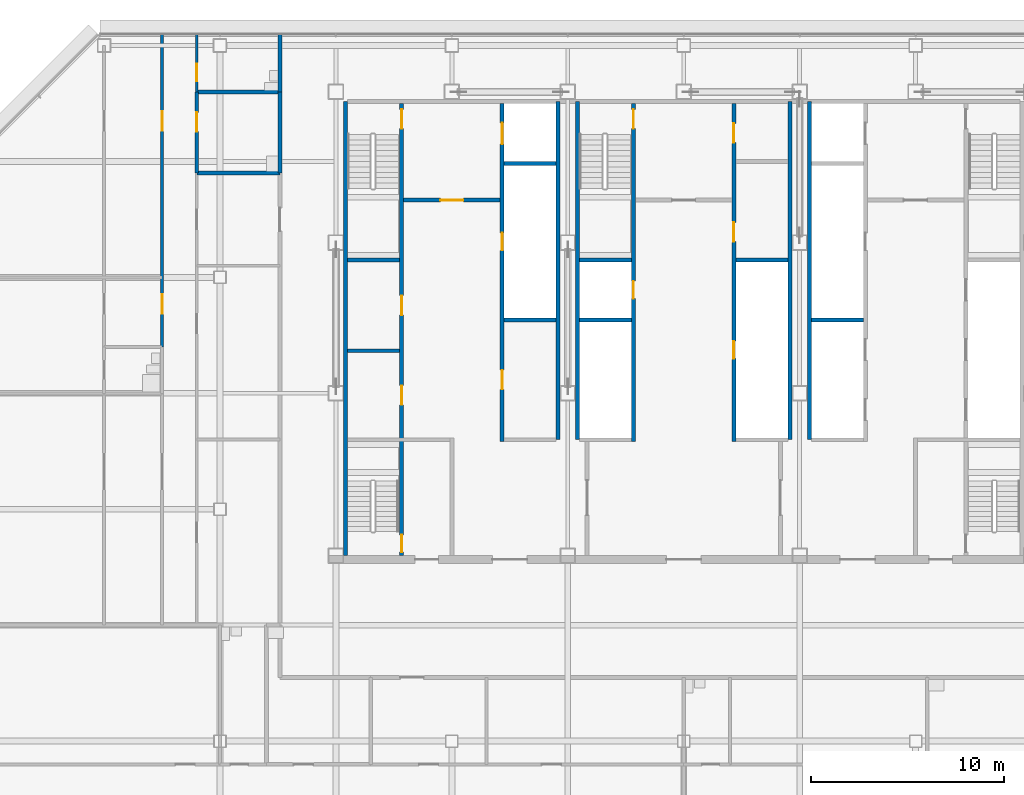
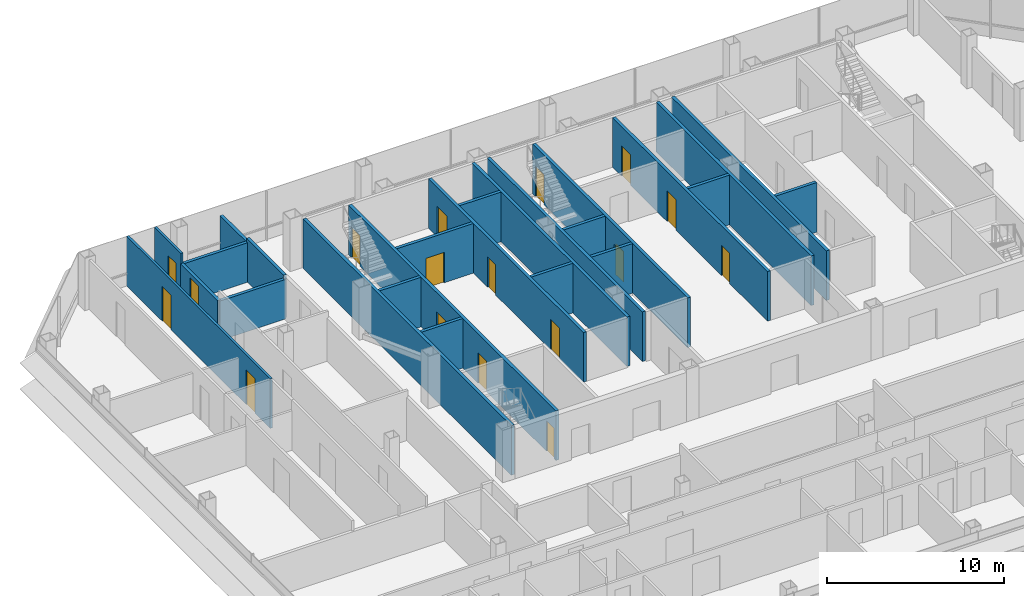
# One storey, part 23 of 27: 25 walls, 17 doors, 17 openings.
"""IFC4 building model written with IfcOpenShell, lengths in metres."""

from ifc_helpers import new_model, si_unit, direction, frame, frame_2d, origin, place, context, subcontext, project, spatial, rectangle, extrude, material, layer, layer_set, type_object, element, fill, save


model = new_model("IFC4")

# Units and contexts
model_context = context("Model", 3, precision=1e-05, world=origin(), true_north=direction((0.0, 1.0)))
body_context = subcontext(model_context, "Body", "Model", "MODEL_VIEW")
ifc_project = project(units=[si_unit("LENGTHUNIT", "METRE"), si_unit("AREAUNIT", "SQUARE_METRE"), si_unit("VOLUMEUNIT", "CUBIC_METRE"), si_unit("PLANEANGLEUNIT", "RADIAN"), si_unit("MASSUNIT", "GRAM", prefix="KILO")], contexts=[model_context])

# Site, building, storey
site_placement = place(None, origin())
site = spatial("IfcSite", under=ifc_project, at=site_placement, CompositionType="ELEMENT")
building_placement = place(site_placement, origin())
building = spatial("IfcBuilding", under=site, at=building_placement, Name="Sorahane Residences", CompositionType="ELEMENT")
storey_placement = place(building_placement, frame((0.0, 0.0, 195.60009765625)))
storey = spatial("IfcBuildingStorey", under=building, at=storey_placement, Name="L45", CompositionType="ELEMENT", Elevation=195.60009765625)

# Walls
ifc_material_1 = material(Name="Concrete C30", Category="concrete")
ifc_layer_1 = layer(ifc_material_1, 0.199951171875)
ifc_layer_set_1 = layer_set([ifc_layer_1], Name="Core face wall 200 EI 180")
wall_type_1 = type_object("IfcWallType", Name="Core face wall 200 EI 180", PredefinedType="SOLIDWALL", material=ifc_layer_set_1)
wall_1_placement = place(storey_placement, frame((6.5, 21.60009765625, 0.0), z_axis=(0.0, 0.0, 1.0), x_axis=(0.0, 1.0, 0.0)))
element("IfcWall", 1, at=wall_1_placement, inside=storey, type_object=wall_type_1, Name="L45 core face wall", PredefinedType="SOLIDWALL", context=body_context, shape_type="SweptSolid", body=[
    extrude(rectangle(XDim=23.5, YDim=0.199951171875, at=frame_2d((11.75, 0.0))), origin(), (0.0, 0.0, 1.0), 3.419921875),
])
for number, where, z_axis, x_axis, name in (
    (2, (17.5, 27.60009765625, 0.0), (0.0, 0.0, 1.0), (0.0, 1.0, 0.0), "L45 core face wall"),
    (3, (18.5, 27.60009765625, 0.0), (0.0, 0.0, 1.0), (0.0, 1.0, 0.0), "L45 core face wall"),
    (4, (29.5, 27.60009765625, 0.0), (0.0, 0.0, 1.0), (0.0, 1.0, 0.0), "L45 core face wall"),
    (5, (30.5, 27.60009765625, 0.0), (0.0, 0.0, 1.0), (0.0, 1.0, 0.0), "L45 core face wall"),
):
    element("IfcWall", number, at=place(storey_placement, frame(where, z_axis=z_axis, x_axis=x_axis)), inside=storey, type_object=wall_type_1, Name=name, PredefinedType="SOLIDWALL", context=body_context, shape_type="SweptSolid", body=[
        extrude(rectangle(XDim=17.5, YDim=0.199951171875, at=frame_2d((8.75, 0.0))), origin(), (0.0, 0.0, 1.0), 3.419921875),
    ])
ifc_material_2 = material(Name="Concrete blockwork C20 wall", Category="masonry")
ifc_layer_2 = layer(ifc_material_2, 0.199951171875)
ifc_layer_set_2 = layer_set([ifc_layer_2], Name="Corridor wall 200 EI 120")
wall_type_2 = type_object("IfcWallType", Name="Corridor wall 200 EI 120", PredefinedType="SOLIDWALL", material=ifc_layer_set_2)
wall_2_placement = place(storey_placement, frame((3.10009765625, 45.60009765625, 0.0), z_axis=(0.0, 0.0, 1.0), x_axis=(0.0, 1.0, 0.0)))
element("IfcWall", 6, at=wall_2_placement, inside=storey, type_object=wall_type_2, Name="L45 corridor wall", PredefinedType="SOLIDWALL", context=body_context, shape_type="SweptSolid", body=[
    extrude(rectangle(XDim=3.0, YDim=0.199951171875, at=frame_2d((1.5, 0.0))), origin(), (0.0, 0.0, 1.0), 2.719970703125),
])

# Wall, opening, door
ifc_material_3 = material(Name="Concrete C30", Category="concrete")
ifc_layer_3 = layer(ifc_material_3, 0.199951171875)
ifc_layer_set_3 = layer_set([ifc_layer_3], Name="Front room wall 200 EI 120")
wall_type_3 = type_object("IfcWallType", Name="Front room wall 200 EI 120", PredefinedType="PARTITIONING", material=ifc_layer_set_3)
wall_3_placement = place(storey_placement, frame((9.5, 40.0, 0.0), z_axis=(0.0, 0.0, 1.0), x_axis=(1.0, 0.0, 0.0)))
wall_3 = element("IfcWall", 7, at=wall_3_placement, inside=storey, type_object=wall_type_3, Name="L45 front room wall", PredefinedType="PARTITIONING", context=body_context, shape_type="SweptSolid", body=[
    extrude(rectangle(XDim=5.0, YDim=0.199951171875, at=frame_2d((2.5, 0.0))), origin(), (0.0, 0.0, 1.0), 3.419921875),
])
opening_1_placement = place(wall_3_placement, frame((1.89990234375, 0.0, 0.0)))
opening_1 = element("IfcOpeningElement", 8, at=opening_1_placement, cuts=wall_3, Name="Opening L45-C08", PredefinedType="OPENING", context=body_context, shape_type="SweptSolid", body=[
    extrude(rectangle(XDim=1.199951171875, YDim=2.10009765625, at=frame_2d((0.60009765625, 1.050048828125))), frame((0.0, 0.10986328125, 0.0), z_axis=(0.0, -1.0, 0.0), x_axis=(1.0, 0.0, 0.0)), (0.0, 0.0, 1.0), 0.219970703125),
])
ifc_material_4 = material(Name="Steel", Category="steel")
door_type_1 = type_object("IfcDoorType", Name="Front room door 1200x2100 FD120", OperationType="NOTDEFINED", PredefinedType="DOOR", material=ifc_material_4)
door_1_placement = place(opening_1_placement, frame((1.199951171875, 0.0, 0.0), z_axis=(0.0, 0.0, 1.0), x_axis=(-1.0, 0.0, 0.0)))
door_1 = element("IfcDoor", 9, at=door_1_placement, inside=storey, type_object=door_type_1, Name="Front room door Firefighting lobby FF1 front room L45", OperationType="DOUBLE_DOOR_SINGLE_SWING", OverallHeight=2.10009765625, OverallWidth=1.199951171875, PredefinedType="DOOR", context=body_context, shape_type="SweptSolid", body=[
    extrude(rectangle(XDim=1.199951171875, YDim=2.10009765625, at=frame_2d((0.60009765625, 1.050048828125))), frame((0.0, 0.02490234375, 0.0), z_axis=(0.0, -1.0, 0.0), x_axis=(1.0, 0.0, 0.0)), (0.0, 0.0, 1.0), 0.050048828125),
])
fill(opening_1, door_1)

ifc_material_5 = material(Name="Concrete blockwork C20 wall", Category="masonry")
ifc_layer_4 = layer(ifc_material_5, 0.199951171875)
ifc_layer_set_4 = layer_set([ifc_layer_4], Name="Kitchen wall 200 EI 180")
wall_type_4 = type_object("IfcWallType", Name="Kitchen wall 200 EI 180", PredefinedType="SOLIDWALL", material=ifc_layer_set_4)
wall_4_placement = place(storey_placement, frame((-1.199951171875, 41.39990234375, 0.0), z_axis=(0.0, 0.0, 1.0), x_axis=(0.0, 1.0, 0.0)))
wall_4 = element("IfcWall", 10, at=wall_4_placement, inside=storey, type_object=wall_type_4, Name="L45 kitchen wall", PredefinedType="SOLIDWALL", context=body_context, shape_type="SweptSolid", body=[
    extrude(rectangle(XDim=4.2001953125, YDim=0.199951171875, at=frame_2d((2.10009765625, 0.0))), origin(), (0.0, 0.0, 1.0), 2.719970703125),
])
opening_2_placement = place(wall_4_placement, frame((2.139892578125, 0.0, 0.0)))
opening_2 = element("IfcOpeningElement", 11, at=opening_2_placement, cuts=wall_4, Name="Opening L45-35", PredefinedType="OPENING", context=body_context, shape_type="SweptSolid", body=[
    extrude(rectangle(XDim=1.0, YDim=2.39990234375, at=frame_2d((0.5, 1.199951171875))), frame((0.0, 0.10986328125, 0.0), z_axis=(0.0, -1.0, 0.0), x_axis=(1.0, 0.0, 0.0)), (0.0, 0.0, 1.0), 0.219970703125),
])
ifc_material_6 = material(Name="Steel", Category="steel")
door_type_2 = type_object("IfcDoorType", Name="Kitchen door 1000x2400 FD120", OperationType="NOTDEFINED", PredefinedType="DOOR", material=ifc_material_6)
door_2_placement = place(opening_2_placement, frame((1.0, 0.0, 0.0), z_axis=(0.0, 0.0, 1.0), x_axis=(-1.0, 0.0, 0.0)))
door_2 = element("IfcDoor", 12, at=door_2_placement, inside=storey, type_object=door_type_2, Name="Kitchen door L45-35", OperationType="SINGLE_SWING_LEFT", OverallHeight=2.39990234375, OverallWidth=1.0, PredefinedType="DOOR", context=body_context, shape_type="SweptSolid", body=[
    extrude(rectangle(XDim=1.0, YDim=2.39990234375, at=frame_2d((0.5, 1.199951171875))), frame((0.0, 0.02490234375, 0.0), z_axis=(0.0, -1.0, 0.0), x_axis=(1.0, 0.0, 0.0)), (0.0, 0.0, 1.0), 0.050048828125),
])
fill(opening_2, door_2)

# Walls
wall_5_placement = place(storey_placement, frame((3.10009765625, 41.39990234375, 0.0), z_axis=(0.0, 0.0, 1.0), x_axis=(0.0, 1.0, 0.0)))
element("IfcWall", 13, at=wall_5_placement, inside=storey, type_object=wall_type_4, Name="L45 kitchen wall", PredefinedType="SOLIDWALL", context=body_context, shape_type="SweptSolid", body=[
    extrude(rectangle(XDim=4.2001953125, YDim=0.199951171875, at=frame_2d((2.10009765625, 0.0))), origin(), (0.0, 0.0, 1.0), 2.969970703125),
])
for number, where, z_axis, x_axis, name in (
    (14, (-1.199951171875, 41.39990234375, 0.0), (0.0, 0.0, 1.0), (1.0, 0.0, 0.0), "L45 kitchen wall"),
    (15, (-1.199951171875, 45.60009765625, 0.0), (0.0, 0.0, 1.0), (1.0, 0.0, 0.0), "L45 kitchen wall"),
):
    element("IfcWall", number, at=place(storey_placement, frame(where, z_axis=z_axis, x_axis=x_axis)), inside=storey, type_object=wall_type_4, Name=name, PredefinedType="SOLIDWALL", context=body_context, shape_type="SweptSolid", body=[
        extrude(rectangle(XDim=4.300048828125, YDim=0.199951171875, at=frame_2d((2.14990234375, 0.0))), origin(), (0.0, 0.0, 1.0), 2.719970703125),
    ])

# Wall, openings, doors
ifc_material_7 = material(Name="Concrete C30", Category="concrete")
ifc_layer_5 = layer(ifc_material_7, 0.199951171875)
ifc_layer_set_5 = layer_set([ifc_layer_5], Name="Lift shaft wall 200 EI 120")
wall_type_5 = type_object("IfcWallType", Name="Lift shaft wall 200 EI 120", PredefinedType="SOLIDWALL", material=ifc_layer_set_5)
wall_6_placement = place(storey_placement, frame((14.60009765625, 27.5, 0.0), z_axis=(0.0, 0.0, 1.0), x_axis=(0.0, 1.0, 0.0)))
wall_6 = element("IfcWall", 16, at=wall_6_placement, inside=storey, type_object=wall_type_5, Name="L45 lift shaft wall", PredefinedType="SOLIDWALL", context=body_context, shape_type="SweptSolid", body=[
    extrude(rectangle(XDim=17.5, YDim=0.199951171875, at=frame_2d((8.75, 0.0))), origin(), (0.0, 0.0, 1.0), 3.419921875),
])
opening_3_placement = place(wall_6_placement, frame((15.39990234375, 0.0, 0.0)))
opening_3 = element("IfcOpeningElement", 17, at=opening_3_placement, cuts=wall_6, Name="Opening L45-C17", PredefinedType="OPENING", context=body_context, shape_type="SweptSolid", body=[
    extrude(rectangle(XDim=1.10009765625, YDim=2.10009765625, at=frame_2d((0.550048828125, 1.050048828125))), frame((0.0, 0.10986328125, 0.0), z_axis=(0.0, -1.0, 0.0), x_axis=(1.0, 0.0, 0.0)), (0.0, 0.0, 1.0), 0.219970703125),
])
opening_4_placement = place(wall_6_placement, frame((2.699951171875, 0.0, 0.0)))
opening_4 = element("IfcOpeningElement", 18, at=opening_4_placement, cuts=wall_6, Name="Opening L45-C18", PredefinedType="OPENING", context=body_context, shape_type="SweptSolid", body=[
    extrude(rectangle(XDim=1.0, YDim=2.10009765625, at=frame_2d((0.5, 1.050048828125))), frame((0.0, 0.10986328125, 0.0), z_axis=(0.0, -1.0, 0.0), x_axis=(1.0, 0.0, 0.0)), (0.0, 0.0, 1.0), 0.219970703125),
])
opening_5_placement = place(wall_6_placement, frame((9.89990234375, 0.0, 0.0)))
opening_5 = element("IfcOpeningElement", 19, at=opening_5_placement, cuts=wall_6, Name="Opening L45-C26", PredefinedType="OPENING", context=body_context, shape_type="SweptSolid", body=[
    extrude(rectangle(XDim=0.89990234375, YDim=2.10009765625, at=frame_2d((0.449951171875, 1.050048828125))), frame((0.0, 0.10986328125, 0.0), z_axis=(0.0, -1.0, 0.0), x_axis=(1.0, 0.0, 0.0)), (0.0, 0.0, 1.0), 0.219970703125),
])
ifc_material_8 = material(Name="Aluminium and stainless steel", Category="steel")
door_type_3 = type_object("IfcDoorType", Name="Lift landing door 1100x2100 E 60", OperationType="NOTDEFINED", PredefinedType="DOOR", material=ifc_material_8)
door_3_placement = place(opening_3_placement, origin())
door_3 = element("IfcDoor", 20, at=door_3_placement, inside=storey, type_object=door_type_3, Name="Lift landing door FF1 L45", OperationType="DOUBLE_DOOR_SLIDING", OverallHeight=2.10009765625, OverallWidth=1.10009765625, PredefinedType="DOOR", context=body_context, shape_type="SweptSolid", body=[
    extrude(rectangle(XDim=1.10009765625, YDim=2.10009765625, at=frame_2d((0.550048828125, 1.050048828125))), frame((0.0, 0.02490234375, 0.0), z_axis=(0.0, -1.0, 0.0), x_axis=(1.0, 0.0, 0.0)), (0.0, 0.0, 1.0), 0.050048828125),
])
fill(opening_3, door_3)
ifc_material_9 = material(Name="Steel", Category="steel")
door_type_4 = type_object("IfcDoorType", Name="Riser door 900x2100 FD120", OperationType="NOTDEFINED", PredefinedType="DOOR", material=ifc_material_9)
door_4_placement = place(opening_5_placement, origin())
door_4 = element("IfcDoor", 21, at=door_4_placement, inside=storey, type_object=door_type_4, Name="Riser door R1 L45", OperationType="SINGLE_SWING_LEFT", OverallHeight=2.10009765625, OverallWidth=0.89990234375, PredefinedType="DOOR", context=body_context, shape_type="SweptSolid", body=[
    extrude(rectangle(XDim=0.89990234375, YDim=2.10009765625, at=frame_2d((0.449951171875, 1.050048828125))), frame((0.0, 0.02490234375, 0.0), z_axis=(0.0, -1.0, 0.0), x_axis=(1.0, 0.0, 0.0)), (0.0, 0.0, 1.0), 0.050048828125),
])
fill(opening_5, door_4)
ifc_material_10 = material(Name="Steel", Category="steel")
door_type_5 = type_object("IfcDoorType", Name="Service room door 1000x2100 FD60", OperationType="NOTDEFINED", PredefinedType="DOOR", material=ifc_material_10)
door_5_placement = place(opening_4_placement, frame((1.0, 0.0, 0.0), z_axis=(0.0, 0.0, 1.0), x_axis=(-1.0, 0.0, 0.0)))
door_5 = element("IfcDoor", 22, at=door_5_placement, inside=storey, type_object=door_type_5, Name="Service room door Quiet room L45", OperationType="SINGLE_SWING_RIGHT", OverallHeight=2.10009765625, OverallWidth=1.0, PredefinedType="DOOR", context=body_context, shape_type="SweptSolid", body=[
    extrude(rectangle(XDim=1.0, YDim=2.10009765625, at=frame_2d((0.5, 1.050048828125))), frame((0.0, 0.02490234375, 0.0), z_axis=(0.0, -1.0, 0.0), x_axis=(1.0, 0.0, 0.0)), (0.0, 0.0, 1.0), 0.050048828125),
])
fill(opening_4, door_5)

# Walls
for number, where, z_axis, x_axis, name in (
    (23, (18.60009765625, 33.800048828125, 0.0), (0.0, 0.0, 1.0), (1.0, 0.0, 0.0), "L45 lift shaft wall"),
    (24, (30.60009765625, 33.800048828125, 0.0), (0.0, 0.0, 1.0), (1.0, 0.0, 0.0), "L45 lift shaft wall"),
    (25, (14.699951171875, 41.89990234375, 0.0), (0.0, 0.0, 1.0), (1.0, 0.0, 0.0), "L45 lift shaft wall"),
):
    element("IfcWall", number, at=place(storey_placement, frame(where, z_axis=z_axis, x_axis=x_axis)), inside=storey, type_object=wall_type_5, Name=name, PredefinedType="SOLIDWALL", context=body_context, shape_type="SweptSolid", body=[
        extrude(rectangle(XDim=2.699951171875, YDim=0.199951171875, at=frame_2d((1.35009765625, 0.0))), origin(), (0.0, 0.0, 1.0), 3.419921875),
    ])

# Wall, openings, doors
ifc_material_11 = material(Name="Gypsum board partition on steel studs", Category="steel")
ifc_layer_6 = layer(ifc_material_11, 0.14990234375)
ifc_layer_set_6 = layer_set([ifc_layer_6], Name="Partition 150 EI 90")
wall_type_6 = type_object("IfcWallType", Name="Partition 150 EI 90", PredefinedType="PARTITIONING", material=ifc_layer_set_6)
wall_7_placement = place(storey_placement, frame((-3.0, 32.39990234375, 0.0), z_axis=(0.0, 0.0, 1.0), x_axis=(0.0, 1.0, 0.0)))
wall_7 = element("IfcWall", 26, at=wall_7_placement, inside=storey, type_object=wall_type_6, Name="L45 partition", PredefinedType="PARTITIONING", context=body_context, shape_type="SweptSolid", body=[
    extrude(rectangle(XDim=16.2001953125, YDim=0.14990234375, at=frame_2d((8.10009765625, 0.0))), origin(), (0.0, 0.0, 1.0), 3.419921875),
])
opening_6_placement = place(wall_7_placement, frame((1.719970703125, 0.0, 0.0)))
opening_6 = element("IfcOpeningElement", 27, at=opening_6_placement, cuts=wall_7, Name="Opening L45-38", PredefinedType="OPENING", context=body_context, shape_type="SweptSolid", body=[
    extrude(rectangle(XDim=1.0, YDim=2.39990234375, at=frame_2d((0.5, 1.199951171875))), frame((0.0, 0.0849609375, 0.0), z_axis=(0.0, -1.0, 0.0), x_axis=(1.0, 0.0, 0.0)), (0.0, 0.0, 1.0), 0.169921875),
])
opening_7_placement = place(wall_7_placement, frame((11.199951171875, 0.0, 0.0)))
opening_7 = element("IfcOpeningElement", 28, at=opening_7_placement, cuts=wall_7, Name="Opening L45-39", PredefinedType="OPENING", context=body_context, shape_type="SweptSolid", body=[
    extrude(rectangle(XDim=1.0, YDim=2.39990234375, at=frame_2d((0.5, 1.199951171875))), frame((0.0, 0.0849609375, 0.0), z_axis=(0.0, -1.0, 0.0), x_axis=(1.0, 0.0, 0.0)), (0.0, 0.0, 1.0), 0.169921875),
])
ifc_material_12 = material(Name="Timber veneered fire door", Category="wood")
door_type_6 = type_object("IfcDoorType", Name="Room door 1000x2400 FD30", OperationType="NOTDEFINED", PredefinedType="DOOR", material=ifc_material_12)
door_6_placement = place(opening_6_placement, origin())
door_6 = element("IfcDoor", 29, at=door_6_placement, inside=storey, type_object=door_type_6, Name="Room door L45-38", OperationType="SINGLE_SWING_LEFT", OverallHeight=2.39990234375, OverallWidth=1.0, PredefinedType="DOOR", context=body_context, shape_type="SweptSolid", body=[
    extrude(rectangle(XDim=1.0, YDim=2.39990234375, at=frame_2d((0.5, 1.199951171875))), frame((0.0, 0.02490234375, 0.0), z_axis=(0.0, -1.0, 0.0), x_axis=(1.0, 0.0, 0.0)), (0.0, 0.0, 1.0), 0.050048828125),
])
fill(opening_6, door_6)
door_7_placement = place(opening_7_placement, origin())
door_7 = element("IfcDoor", 30, at=door_7_placement, inside=storey, type_object=door_type_6, Name="Room door L45-39", OperationType="SINGLE_SWING_RIGHT", OverallHeight=2.39990234375, OverallWidth=1.0, PredefinedType="DOOR", context=body_context, shape_type="SweptSolid", body=[
    extrude(rectangle(XDim=1.0, YDim=2.39990234375, at=frame_2d((0.5, 1.199951171875))), frame((0.0, 0.02490234375, 0.0), z_axis=(0.0, -1.0, 0.0), x_axis=(1.0, 0.0, 0.0)), (0.0, 0.0, 1.0), 0.050048828125),
])
fill(opening_7, door_7)

ifc_material_13 = material(Name="Concrete C30", Category="concrete")
ifc_layer_7 = layer(ifc_material_13, 0.199951171875)
ifc_layer_set_7 = layer_set([ifc_layer_7], Name="Riser shaft wall 200 EI 120")
wall_type_7 = type_object("IfcWallType", Name="Riser shaft wall 200 EI 120", PredefinedType="SOLIDWALL", material=ifc_layer_set_7)
wall_8_placement = place(storey_placement, frame((26.60009765625, 27.5, 0.0), z_axis=(0.0, 0.0, 1.0), x_axis=(0.0, 1.0, 0.0)))
wall_8 = element("IfcWall", 31, at=wall_8_placement, inside=storey, type_object=wall_type_7, Name="L45 riser wall", PredefinedType="SOLIDWALL", context=body_context, shape_type="SweptSolid", body=[
    extrude(rectangle(XDim=17.5, YDim=0.199951171875, at=frame_2d((8.75, 0.0))), origin(), (0.0, 0.0, 1.0), 3.419921875),
])
opening_8_placement = place(wall_8_placement, frame((4.300048828125, 0.0, 0.0)))
opening_8 = element("IfcOpeningElement", 32, at=opening_8_placement, cuts=wall_8, Name="Opening L45-C29", PredefinedType="OPENING", context=body_context, shape_type="SweptSolid", body=[
    extrude(rectangle(XDim=0.89990234375, YDim=2.10009765625, at=frame_2d((0.449951171875, 1.050048828125))), frame((0.0, 0.10986328125, 0.0), z_axis=(0.0, -1.0, 0.0), x_axis=(1.0, 0.0, 0.0)), (0.0, 0.0, 1.0), 0.219970703125),
])
opening_9_placement = place(wall_8_placement, frame((10.35009765625, 0.0, 0.0)))
opening_9 = element("IfcOpeningElement", 33, at=opening_9_placement, cuts=wall_8, Name="Opening L45-C30", PredefinedType="OPENING", context=body_context, shape_type="SweptSolid", body=[
    extrude(rectangle(XDim=1.0, YDim=2.10009765625, at=frame_2d((0.5, 1.050048828125))), frame((0.0, 0.10986328125, 0.0), z_axis=(0.0, -1.0, 0.0), x_axis=(1.0, 0.0, 0.0)), (0.0, 0.0, 1.0), 0.219970703125),
])
opening_10_placement = place(wall_8_placement, frame((15.47509765625, 0.0, 0.0)))
opening_10 = element("IfcOpeningElement", 34, at=opening_10_placement, cuts=wall_8, Name="Opening L45-C31", PredefinedType="OPENING", context=body_context, shape_type="SweptSolid", body=[
    extrude(rectangle(XDim=1.0, YDim=2.10009765625, at=frame_2d((0.5, 1.050048828125))), frame((0.0, 0.10986328125, 0.0), z_axis=(0.0, -1.0, 0.0), x_axis=(1.0, 0.0, 0.0)), (0.0, 0.0, 1.0), 0.219970703125),
])
door_8_placement = place(opening_8_placement, origin())
door_8 = element("IfcDoor", 35, at=door_8_placement, inside=storey, type_object=door_type_4, Name="Riser door R4 L45", OperationType="SINGLE_SWING_LEFT", OverallHeight=2.10009765625, OverallWidth=0.89990234375, PredefinedType="DOOR", context=body_context, shape_type="SweptSolid", body=[
    extrude(rectangle(XDim=0.89990234375, YDim=2.10009765625, at=frame_2d((0.449951171875, 1.050048828125))), frame((0.0, 0.02490234375, 0.0), z_axis=(0.0, -1.0, 0.0), x_axis=(1.0, 0.0, 0.0)), (0.0, 0.0, 1.0), 0.050048828125),
])
fill(opening_8, door_8)
door_9_placement = place(opening_9_placement, frame((1.0, 0.0, 0.0), z_axis=(0.0, 0.0, 1.0), x_axis=(-1.0, 0.0, 0.0)))
door_9 = element("IfcDoor", 36, at=door_9_placement, inside=storey, type_object=door_type_5, Name="Service room door Parcel room L45", OperationType="SINGLE_SWING_LEFT", OverallHeight=2.10009765625, OverallWidth=1.0, PredefinedType="DOOR", context=body_context, shape_type="SweptSolid", body=[
    extrude(rectangle(XDim=1.0, YDim=2.10009765625, at=frame_2d((0.5, 1.050048828125))), frame((0.0, 0.02490234375, 0.0), z_axis=(0.0, -1.0, 0.0), x_axis=(1.0, 0.0, 0.0)), (0.0, 0.0, 1.0), 0.050048828125),
])
fill(opening_9, door_9)
door_10_placement = place(opening_10_placement, frame((1.0, 0.0, 0.0), z_axis=(0.0, 0.0, 1.0), x_axis=(-1.0, 0.0, 0.0)))
door_10 = element("IfcDoor", 37, at=door_10_placement, inside=storey, type_object=door_type_5, Name="Service room door Refuse room L45", OperationType="SINGLE_SWING_RIGHT", OverallHeight=2.10009765625, OverallWidth=1.0, PredefinedType="DOOR", context=body_context, shape_type="SweptSolid", body=[
    extrude(rectangle(XDim=1.0, YDim=2.10009765625, at=frame_2d((0.5, 1.050048828125))), frame((0.0, 0.02490234375, 0.0), z_axis=(0.0, -1.0, 0.0), x_axis=(1.0, 0.0, 0.0)), (0.0, 0.0, 1.0), 0.050048828125),
])
fill(opening_10, door_10)

# Walls
for number, where, z_axis, x_axis, name in (
    (38, (14.699951171875, 33.800048828125, 0.0), (0.0, 0.0, 1.0), (1.0, 0.0, 0.0), "L45 riser wall"),
    (39, (26.699951171875, 36.89990234375, 0.0), (0.0, 0.0, 1.0), (1.0, 0.0, 0.0), "L45 riser wall"),
):
    element("IfcWall", number, at=place(storey_placement, frame(where, z_axis=z_axis, x_axis=x_axis)), inside=storey, type_object=wall_type_7, Name=name, PredefinedType="SOLIDWALL", context=body_context, shape_type="SweptSolid", body=[
        extrude(rectangle(XDim=2.699951171875, YDim=0.199951171875, at=frame_2d((1.35009765625, 0.0))), origin(), (0.0, 0.0, 1.0), 3.419921875),
    ])
ifc_material_14 = material(Name="Concrete C30", Category="concrete")
ifc_layer_8 = layer(ifc_material_14, 0.199951171875)
ifc_layer_set_8 = layer_set([ifc_layer_8], Name="Service room partition 200 EI 60")
wall_type_8 = type_object("IfcWallType", Name="Service room partition 200 EI 60", PredefinedType="PARTITIONING", material=ifc_layer_set_8)
wall_9_placement = place(storey_placement, frame((6.60009765625, 32.199951171875, 0.0), z_axis=(0.0, 0.0, 1.0), x_axis=(1.0, 0.0, 0.0)))
element("IfcWall", 40, at=wall_9_placement, inside=storey, type_object=wall_type_8, Name="L45 service room wall", PredefinedType="PARTITIONING", context=body_context, shape_type="SweptSolid", body=[
    extrude(rectangle(XDim=2.699951171875, YDim=0.199951171875, at=frame_2d((1.35009765625, 0.0))), origin(), (0.0, 0.0, 1.0), 3.419921875),
])

# Wall, openings, doors
ifc_material_15 = material(Name="Concrete C30", Category="concrete")
ifc_layer_9 = layer(ifc_material_15, 0.199951171875)
ifc_layer_set_9 = layer_set([ifc_layer_9], Name="Stair enclosure wall 200 EI 120")
wall_type_9 = type_object("IfcWallType", Name="Stair enclosure wall 200 EI 120", PredefinedType="SOLIDWALL", material=ifc_layer_set_9)
wall_10_placement = place(storey_placement, frame((21.39990234375, 27.5, 0.0), z_axis=(0.0, 0.0, 1.0), x_axis=(0.0, 1.0, 0.0)))
wall_10 = element("IfcWall", 41, at=wall_10_placement, inside=storey, type_object=wall_type_9, Name="L45 stair enclosure wall", PredefinedType="SOLIDWALL", context=body_context, shape_type="SweptSolid", body=[
    extrude(rectangle(XDim=17.5, YDim=0.199951171875, at=frame_2d((8.75, 0.0))), origin(), (0.0, 0.0, 1.0), 3.419921875),
])
opening_11_placement = place(wall_10_placement, frame((16.199951171875, 0.0, 0.0)))
opening_11 = element("IfcOpeningElement", 42, at=opening_11_placement, cuts=wall_10, Name="Opening L45-C23", PredefinedType="OPENING", context=body_context, shape_type="SweptSolid", body=[
    extrude(rectangle(XDim=1.0, YDim=2.10009765625, at=frame_2d((0.5, 1.050048828125))), frame((0.0, 0.10986328125, 0.0), z_axis=(0.0, -1.0, 0.0), x_axis=(1.0, 0.0, 0.0)), (0.0, 0.0, 1.0), 0.219970703125),
])
opening_12_placement = place(wall_10_placement, frame((7.39990234375, 0.0, 0.0)))
opening_12 = element("IfcOpeningElement", 43, at=opening_12_placement, cuts=wall_10, Name="Opening L45-C28", PredefinedType="OPENING", context=body_context, shape_type="SweptSolid", body=[
    extrude(rectangle(XDim=0.89990234375, YDim=2.10009765625, at=frame_2d((0.449951171875, 1.050048828125))), frame((0.0, 0.10986328125, 0.0), z_axis=(0.0, -1.0, 0.0), x_axis=(1.0, 0.0, 0.0)), (0.0, 0.0, 1.0), 0.219970703125),
])
door_11_placement = place(opening_12_placement, frame((0.89990234375, 0.0, 0.0), z_axis=(0.0, 0.0, 1.0), x_axis=(-1.0, 0.0, 0.0)))
door_11 = element("IfcDoor", 44, at=door_11_placement, inside=storey, type_object=door_type_4, Name="Riser door R3 L45", OperationType="SINGLE_SWING_LEFT", OverallHeight=2.10009765625, OverallWidth=0.89990234375, PredefinedType="DOOR", context=body_context, shape_type="SweptSolid", body=[
    extrude(rectangle(XDim=0.89990234375, YDim=2.10009765625, at=frame_2d((0.449951171875, 1.050048828125))), frame((0.0, 0.02490234375, 0.0), z_axis=(0.0, -1.0, 0.0), x_axis=(1.0, 0.0, 0.0)), (0.0, 0.0, 1.0), 0.050048828125),
])
fill(opening_12, door_11)
ifc_material_16 = material(Name="Steel", Category="steel")
door_type_7 = type_object("IfcDoorType", Name="Stair door 1000x2100 FD120", OperationType="NOTDEFINED", PredefinedType="DOOR", material=ifc_material_16)
door_12_placement = place(opening_11_placement, origin())
door_12 = element("IfcDoor", 45, at=door_12_placement, inside=storey, type_object=door_type_7, Name="Stair door S3 L45", OperationType="SINGLE_SWING_LEFT", OverallHeight=2.10009765625, OverallWidth=1.0, PredefinedType="DOOR", context=body_context, shape_type="SweptSolid", body=[
    extrude(rectangle(XDim=1.0, YDim=2.10009765625, at=frame_2d((0.5, 1.050048828125))), frame((0.0, 0.02490234375, 0.0), z_axis=(0.0, -1.0, 0.0), x_axis=(1.0, 0.0, 0.0)), (0.0, 0.0, 1.0), 0.050048828125),
])
fill(opening_11, door_12)

wall_11_placement = place(storey_placement, frame((9.39990234375, 21.60009765625, 0.0), z_axis=(0.0, 0.0, 1.0), x_axis=(0.0, 1.0, 0.0)))
wall_11 = element("IfcWall", 46, at=wall_11_placement, inside=storey, type_object=wall_type_9, Name="L45 stair enclosure wall", PredefinedType="SOLIDWALL", context=body_context, shape_type="SweptSolid", body=[
    extrude(rectangle(XDim=23.39990234375, YDim=0.199951171875, at=frame_2d((11.699951171875, 0.0))), origin(), (0.0, 0.0, 1.0), 3.419921875),
])
opening_13_placement = place(wall_11_placement, frame((7.800048828125, 0.0, 0.0)))
opening_13 = element("IfcOpeningElement", 47, at=opening_13_placement, cuts=wall_11, Name="Opening L45-C19", PredefinedType="OPENING", context=body_context, shape_type="SweptSolid", body=[
    extrude(rectangle(XDim=1.0, YDim=2.10009765625, at=frame_2d((0.5, 1.050048828125))), frame((0.0, 0.10986328125, 0.0), z_axis=(0.0, -1.0, 0.0), x_axis=(1.0, 0.0, 0.0)), (0.0, 0.0, 1.0), 0.219970703125),
])
opening_14_placement = place(wall_11_placement, frame((12.449951171875, 0.0, 0.0)))
opening_14 = element("IfcOpeningElement", 48, at=opening_14_placement, cuts=wall_11, Name="Opening L45-C20", PredefinedType="OPENING", context=body_context, shape_type="SweptSolid", body=[
    extrude(rectangle(XDim=1.0, YDim=2.10009765625, at=frame_2d((0.5, 1.050048828125))), frame((0.0, 0.10986328125, 0.0), z_axis=(0.0, -1.0, 0.0), x_axis=(1.0, 0.0, 0.0)), (0.0, 0.0, 1.0), 0.219970703125),
])
opening_15_placement = place(wall_11_placement, frame((22.10009765625, 0.0, 0.0)))
opening_15 = element("IfcOpeningElement", 49, at=opening_15_placement, cuts=wall_11, Name="Opening L45-C21", PredefinedType="OPENING", context=body_context, shape_type="SweptSolid", body=[
    extrude(rectangle(XDim=1.0, YDim=2.10009765625, at=frame_2d((0.5, 1.050048828125))), frame((0.0, 0.10986328125, 0.0), z_axis=(0.0, -1.0, 0.0), x_axis=(1.0, 0.0, 0.0)), (0.0, 0.0, 1.0), 0.219970703125),
])
opening_16_placement = place(wall_11_placement, frame((0.175048828125, 0.0, 0.0)))
opening_16 = element("IfcOpeningElement", 50, at=opening_16_placement, cuts=wall_11, Name="Opening L45-C24", PredefinedType="OPENING", context=body_context, shape_type="SweptSolid", body=[
    extrude(rectangle(XDim=0.89990234375, YDim=2.10009765625, at=frame_2d((0.449951171875, 1.050048828125))), frame((0.0, 0.10986328125, 0.0), z_axis=(0.0, -1.0, 0.0), x_axis=(1.0, 0.0, 0.0)), (0.0, 0.0, 1.0), 0.219970703125),
])
door_13_placement = place(opening_13_placement, origin())
door_13 = element("IfcDoor", 51, at=door_13_placement, inside=storey, type_object=door_type_5, Name="Service room door Quiet room L45", OperationType="SINGLE_SWING_RIGHT", OverallHeight=2.10009765625, OverallWidth=1.0, PredefinedType="DOOR", context=body_context, shape_type="SweptSolid", body=[
    extrude(rectangle(XDim=1.0, YDim=2.10009765625, at=frame_2d((0.5, 1.050048828125))), frame((0.0, 0.02490234375, 0.0), z_axis=(0.0, -1.0, 0.0), x_axis=(1.0, 0.0, 0.0)), (0.0, 0.0, 1.0), 0.050048828125),
])
fill(opening_13, door_13)
door_14_placement = place(opening_14_placement, origin())
door_14 = element("IfcDoor", 52, at=door_14_placement, inside=storey, type_object=door_type_5, Name="Service room door Quiet room L45", OperationType="SINGLE_SWING_LEFT", OverallHeight=2.10009765625, OverallWidth=1.0, PredefinedType="DOOR", context=body_context, shape_type="SweptSolid", body=[
    extrude(rectangle(XDim=1.0, YDim=2.10009765625, at=frame_2d((0.5, 1.050048828125))), frame((0.0, 0.02490234375, 0.0), z_axis=(0.0, -1.0, 0.0), x_axis=(1.0, 0.0, 0.0)), (0.0, 0.0, 1.0), 0.050048828125),
])
fill(opening_14, door_14)
door_15_placement = place(opening_15_placement, origin())
door_15 = element("IfcDoor", 53, at=door_15_placement, inside=storey, type_object=door_type_7, Name="Stair door S1 L45", OperationType="SINGLE_SWING_LEFT", OverallHeight=2.10009765625, OverallWidth=1.0, PredefinedType="DOOR", context=body_context, shape_type="SweptSolid", body=[
    extrude(rectangle(XDim=1.0, YDim=2.10009765625, at=frame_2d((0.5, 1.050048828125))), frame((0.0, 0.02490234375, 0.0), z_axis=(0.0, -1.0, 0.0), x_axis=(1.0, 0.0, 0.0)), (0.0, 0.0, 1.0), 0.050048828125),
])
fill(opening_15, door_15)
ifc_material_17 = material(Name="Steel", Category="steel")
door_type_8 = type_object("IfcDoorType", Name="Stair door 900x2100 FD120", OperationType="NOTDEFINED", PredefinedType="DOOR", material=ifc_material_17)
door_16_placement = place(opening_16_placement, origin())
door_16 = element("IfcDoor", 54, at=door_16_placement, inside=storey, type_object=door_type_8, Name="Stair door S4 L45", OperationType="SINGLE_SWING_LEFT", OverallHeight=2.10009765625, OverallWidth=0.89990234375, PredefinedType="DOOR", context=body_context, shape_type="SweptSolid", body=[
    extrude(rectangle(XDim=0.89990234375, YDim=2.10009765625, at=frame_2d((0.449951171875, 1.050048828125))), frame((0.0, 0.02490234375, 0.0), z_axis=(0.0, -1.0, 0.0), x_axis=(1.0, 0.0, 0.0)), (0.0, 0.0, 1.0), 0.050048828125),
])
fill(opening_16, door_16)

# Walls
for number, where, z_axis, x_axis, name in (
    (55, (18.60009765625, 36.89990234375, 0.0), (0.0, 0.0, 1.0), (1.0, 0.0, 0.0), "L45 stair enclosure wall"),
    (56, (6.60009765625, 36.89990234375, 0.0), (0.0, 0.0, 1.0), (1.0, 0.0, 0.0), "L45 stair enclosure wall"),
):
    element("IfcWall", number, at=place(storey_placement, frame(where, z_axis=z_axis, x_axis=x_axis)), inside=storey, type_object=wall_type_9, Name=name, PredefinedType="SOLIDWALL", context=body_context, shape_type="SweptSolid", body=[
        extrude(rectangle(XDim=2.699951171875, YDim=0.199951171875, at=frame_2d((1.35009765625, 0.0))), origin(), (0.0, 0.0, 1.0), 3.419921875),
    ])

# Wall, opening, door
ifc_material_18 = material(Name="Gypsum board partition on steel studs", Category="steel")
ifc_layer_10 = layer(ifc_material_18, 0.14990234375)
ifc_layer_set_10 = layer_set([ifc_layer_10], Name="Wet wall 150 EI 90")
wall_type_10 = type_object("IfcWallType", Name="Wet wall 150 EI 90", PredefinedType="PARTITIONING", material=ifc_layer_set_10)
wall_12_placement = place(storey_placement, frame((-1.199951171875, 45.60009765625, 0.0), z_axis=(0.0, 0.0, 1.0), x_axis=(0.0, 1.0, 0.0)))
wall_12 = element("IfcWall", 57, at=wall_12_placement, inside=storey, type_object=wall_type_10, Name="L45 wet wall", PredefinedType="PARTITIONING", context=body_context, shape_type="SweptSolid", body=[
    extrude(rectangle(XDim=3.0, YDim=0.14990234375, at=frame_2d((1.5, 0.0))), origin(), (0.0, 0.0, 1.0), 3.419921875),
])
opening_17_placement = place(wall_12_placement, frame((0.550048828125, 0.0, 0.0)))
opening_17 = element("IfcOpeningElement", 58, at=opening_17_placement, cuts=wall_12, Name="Opening L45-36", PredefinedType="OPENING", context=body_context, shape_type="SweptSolid", body=[
    extrude(rectangle(XDim=0.89990234375, YDim=2.39990234375, at=frame_2d((0.449951171875, 1.199951171875))), frame((0.0, 0.0849609375, 0.0), z_axis=(0.0, -1.0, 0.0), x_axis=(1.0, 0.0, 0.0)), (0.0, 0.0, 1.0), 0.169921875),
])
ifc_material_19 = material(Name="Timber veneered fire door", Category="wood")
door_type_9 = type_object("IfcDoorType", Name="Bathroom door 900x2400 FD30", OperationType="NOTDEFINED", PredefinedType="DOOR", material=ifc_material_19)
door_17_placement = place(opening_17_placement, origin())
door_17 = element("IfcDoor", 59, at=door_17_placement, inside=storey, type_object=door_type_9, Name="Bathroom door L45-36", OperationType="SINGLE_SWING_RIGHT", OverallHeight=2.39990234375, OverallWidth=0.89990234375, PredefinedType="DOOR", context=body_context, shape_type="SweptSolid", body=[
    extrude(rectangle(XDim=0.89990234375, YDim=2.39990234375, at=frame_2d((0.449951171875, 1.199951171875))), frame((0.0, 0.02490234375, 0.0), z_axis=(0.0, -1.0, 0.0), x_axis=(1.0, 0.0, 0.0)), (0.0, 0.0, 1.0), 0.050048828125),
])
fill(opening_17, door_17)

save(model, "model.ifc")
